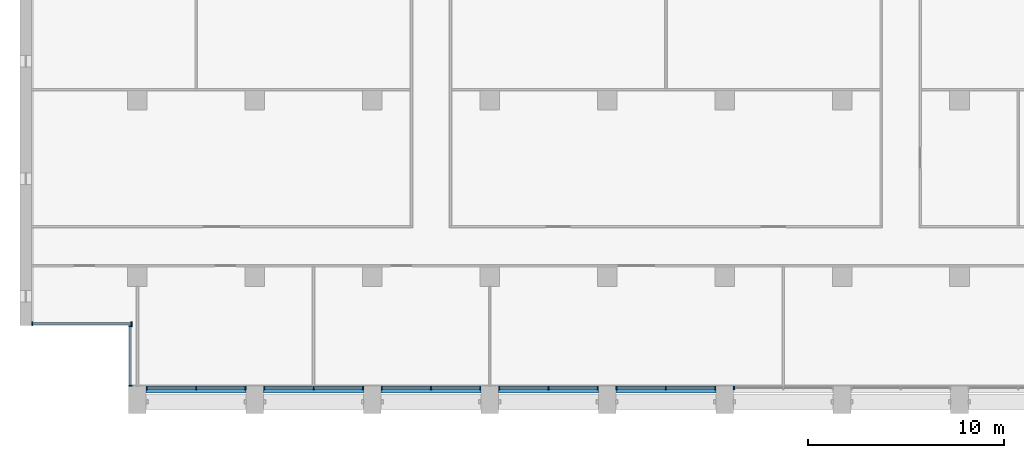
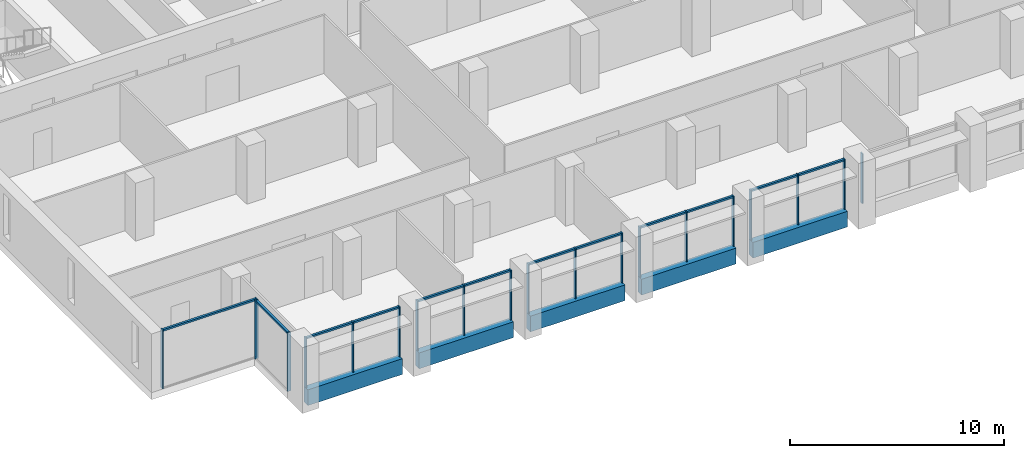
# One storey, part 2 of 17: 32 members, 5 beams, 8 elements without a shape of their own.
"""IFC4 building model written with IfcOpenShell, lengths in metres."""

from ifc_helpers import new_model, si_unit, direction, frame, origin, origin_2d, place, context, subcontext, project, spatial, rectangle, extrude, material, material_profile, profile_set, type_object, element, aggregate, save


model = new_model("IFC4")

# Units and contexts
model_context = context("Model", 3, precision=1e-05, world=origin(), true_north=direction((0.0, 1.0)))
body_context = subcontext(model_context, "Body", "Model", "MODEL_VIEW")
ifc_project = project(units=[si_unit("LENGTHUNIT", "METRE"), si_unit("AREAUNIT", "SQUARE_METRE"), si_unit("VOLUMEUNIT", "CUBIC_METRE"), si_unit("PLANEANGLEUNIT", "RADIAN"), si_unit("MASSUNIT", "GRAM", prefix="KILO")], contexts=[model_context])

# Site, building, storey
site_placement = place(None, origin())
site = spatial("IfcSite", under=ifc_project, at=site_placement, CompositionType="ELEMENT")
building_placement = place(site_placement, origin())
building = spatial("IfcBuilding", under=site, at=building_placement, Name="Calvaro Tower", CompositionType="ELEMENT")
storey_placement = place(building_placement, frame((0.0, 0.0, 219.25)))
storey = spatial("IfcBuildingStorey", under=building, at=storey_placement, Name="L55", CompositionType="ELEMENT", Elevation=219.25)

# Curtain wall, members
ifc_material_1 = material(Name="Anodised aluminium", Category="aluminium")
curtain_wall_type = type_object("IfcCurtainWallType", Name="Office curtain wall, upper zone", PredefinedType="NOTDEFINED", material=ifc_material_1)
curtain_wall_1_placement = place(storey_placement, origin())
curtain_wall_1 = element("IfcCurtainWall", 1, at=curtain_wall_1_placement, inside=storey, type_object=curtain_wall_type, Name="CW3 south curtain wall", PredefinedType="NOTDEFINED")
ifc_material_2 = material(Name="Anodised aluminium", Category="aluminium")
ifc_material_profile_1 = material_profile(ifc_material_2, rectangle(XDim=0.179931640625, YDim=0.06005859375, at=origin_2d()), Name="Mullion S3 60 x 180")
ifc_profile_set_1 = profile_set([ifc_material_profile_1], Name="Anodised aluminium")
member_type_1 = type_object("IfcMemberType", Name="Mullion S3 60 x 180", PredefinedType="MULLION", material=ifc_profile_set_1)
member_1_placement = place(storey_placement, frame((12.47998046875, 4.31005859375, 0.0), z_axis=(0.0, 0.0, 1.0), x_axis=(0.0, 1.0, 0.0)))
member_1 = element("IfcMember", 2, at=member_1_placement, type_object=member_type_1, Name="CW3 mullion 1", PredefinedType="MULLION", context=body_context, shape_type="SweptSolid", body=[
    extrude(rectangle(XDim=0.179931640625, YDim=0.06005859375, at=origin_2d()), origin(), (0.0, 0.0, 1.0), 2.85009765625),
])
member_2_placement = place(storey_placement, frame((15.0, 4.31005859375, 0.0), z_axis=(0.0, 0.0, 1.0), x_axis=(0.0, 1.0, 0.0)))
member_2 = element("IfcMember", 3, at=member_2_placement, type_object=member_type_1, Name="CW3 mullion 2", PredefinedType="MULLION", context=body_context, shape_type="SweptSolid", body=[
    extrude(rectangle(XDim=0.179931640625, YDim=0.06005859375, at=origin_2d()), origin(), (0.0, 0.0, 1.0), 2.85009765625),
])
member_3_placement = place(storey_placement, frame((17.52001953125, 4.31005859375, 0.0), z_axis=(0.0, 0.0, 1.0), x_axis=(0.0, 1.0, 0.0)))
member_3 = element("IfcMember", 4, at=member_3_placement, type_object=member_type_1, Name="CW3 mullion 3", PredefinedType="MULLION", context=body_context, shape_type="SweptSolid", body=[
    extrude(rectangle(XDim=0.179931640625, YDim=0.06005859375, at=origin_2d()), origin(), (0.0, 0.0, 1.0), 2.85009765625),
])

curtain_wall_2_placement = place(storey_placement, origin())
curtain_wall_2 = element("IfcCurtainWall", 5, at=curtain_wall_2_placement, inside=storey, type_object=curtain_wall_type, Name="CW3 south curtain wall", PredefinedType="NOTDEFINED")
member_4_placement = place(storey_placement, frame((18.47998046875, 4.31005859375, 0.0), z_axis=(0.0, 0.0, 1.0), x_axis=(0.0, 1.0, 0.0)))
member_4 = element("IfcMember", 6, at=member_4_placement, type_object=member_type_1, Name="CW3 mullion 1", PredefinedType="MULLION", context=body_context, shape_type="SweptSolid", body=[
    extrude(rectangle(XDim=0.179931640625, YDim=0.06005859375, at=origin_2d()), origin(), (0.0, 0.0, 1.0), 2.85009765625),
])
member_5_placement = place(storey_placement, frame((21.0, 4.31005859375, 0.0), z_axis=(0.0, 0.0, 1.0), x_axis=(0.0, 1.0, 0.0)))
member_5 = element("IfcMember", 7, at=member_5_placement, type_object=member_type_1, Name="CW3 mullion 2", PredefinedType="MULLION", context=body_context, shape_type="SweptSolid", body=[
    extrude(rectangle(XDim=0.179931640625, YDim=0.06005859375, at=origin_2d()), origin(), (0.0, 0.0, 1.0), 2.85009765625),
])
member_6_placement = place(storey_placement, frame((23.52001953125, 4.31005859375, 0.0), z_axis=(0.0, 0.0, 1.0), x_axis=(0.0, 1.0, 0.0)))
member_6 = element("IfcMember", 8, at=member_6_placement, type_object=member_type_1, Name="CW3 mullion 3", PredefinedType="MULLION", context=body_context, shape_type="SweptSolid", body=[
    extrude(rectangle(XDim=0.179931640625, YDim=0.06005859375, at=origin_2d()), origin(), (0.0, 0.0, 1.0), 2.85009765625),
])

curtain_wall_3_placement = place(storey_placement, origin())
curtain_wall_3 = element("IfcCurtainWall", 9, at=curtain_wall_3_placement, inside=storey, type_object=curtain_wall_type, Name="CW3 south curtain wall", PredefinedType="NOTDEFINED")
member_7_placement = place(storey_placement, frame((24.47998046875, 4.31005859375, 0.0), z_axis=(0.0, 0.0, 1.0), x_axis=(0.0, 1.0, 0.0)))
member_7 = element("IfcMember", 10, at=member_7_placement, type_object=member_type_1, Name="CW3 mullion 1", PredefinedType="MULLION", context=body_context, shape_type="SweptSolid", body=[
    extrude(rectangle(XDim=0.179931640625, YDim=0.06005859375, at=origin_2d()), origin(), (0.0, 0.0, 1.0), 2.85009765625),
])
member_8_placement = place(storey_placement, frame((27.0, 4.31005859375, 0.0), z_axis=(0.0, 0.0, 1.0), x_axis=(0.0, 1.0, 0.0)))
member_8 = element("IfcMember", 11, at=member_8_placement, type_object=member_type_1, Name="CW3 mullion 2", PredefinedType="MULLION", context=body_context, shape_type="SweptSolid", body=[
    extrude(rectangle(XDim=0.179931640625, YDim=0.06005859375, at=origin_2d()), origin(), (0.0, 0.0, 1.0), 2.85009765625),
])
member_9_placement = place(storey_placement, frame((29.52001953125, 4.31005859375, 0.0), z_axis=(0.0, 0.0, 1.0), x_axis=(0.0, 1.0, 0.0)))
member_9 = element("IfcMember", 12, at=member_9_placement, type_object=member_type_1, Name="CW3 mullion 3", PredefinedType="MULLION", context=body_context, shape_type="SweptSolid", body=[
    extrude(rectangle(XDim=0.179931640625, YDim=0.06005859375, at=origin_2d()), origin(), (0.0, 0.0, 1.0), 2.85009765625),
])

curtain_wall_4_placement = place(storey_placement, origin())
curtain_wall_4 = element("IfcCurtainWall", 13, at=curtain_wall_4_placement, inside=storey, type_object=curtain_wall_type, Name="CW3 south curtain wall", PredefinedType="NOTDEFINED")
member_10_placement = place(storey_placement, frame((30.47998046875, 4.31005859375, 0.0), z_axis=(0.0, 0.0, 1.0), x_axis=(0.0, 1.0, 0.0)))
member_10 = element("IfcMember", 14, at=member_10_placement, type_object=member_type_1, Name="CW3 mullion 1", PredefinedType="MULLION", context=body_context, shape_type="SweptSolid", body=[
    extrude(rectangle(XDim=0.179931640625, YDim=0.06005859375, at=origin_2d()), origin(), (0.0, 0.0, 1.0), 2.85009765625),
])
member_11_placement = place(storey_placement, frame((33.0, 4.31005859375, 0.0), z_axis=(0.0, 0.0, 1.0), x_axis=(0.0, 1.0, 0.0)))
member_11 = element("IfcMember", 15, at=member_11_placement, type_object=member_type_1, Name="CW3 mullion 2", PredefinedType="MULLION", context=body_context, shape_type="SweptSolid", body=[
    extrude(rectangle(XDim=0.179931640625, YDim=0.06005859375, at=origin_2d()), origin(), (0.0, 0.0, 1.0), 2.85009765625),
])
member_12_placement = place(storey_placement, frame((35.52001953125, 4.31005859375, 0.0), z_axis=(0.0, 0.0, 1.0), x_axis=(0.0, 1.0, 0.0)))
member_12 = element("IfcMember", 16, at=member_12_placement, type_object=member_type_1, Name="CW3 mullion 3", PredefinedType="MULLION", context=body_context, shape_type="SweptSolid", body=[
    extrude(rectangle(XDim=0.179931640625, YDim=0.06005859375, at=origin_2d()), origin(), (0.0, 0.0, 1.0), 2.85009765625),
])

curtain_wall_5_placement = place(storey_placement, origin())
curtain_wall_5 = element("IfcCurtainWall", 17, at=curtain_wall_5_placement, inside=storey, type_object=curtain_wall_type, Name="CW3 south curtain wall", PredefinedType="NOTDEFINED")
member_13_placement = place(storey_placement, frame((36.47998046875, 4.31005859375, 0.0), z_axis=(0.0, 0.0, 1.0), x_axis=(0.0, 1.0, 0.0)))
member_13 = element("IfcMember", 18, at=member_13_placement, type_object=member_type_1, Name="CW3 mullion 1", PredefinedType="MULLION", context=body_context, shape_type="SweptSolid", body=[
    extrude(rectangle(XDim=0.179931640625, YDim=0.06005859375, at=origin_2d()), origin(), (0.0, 0.0, 1.0), 2.85009765625),
])
member_14_placement = place(storey_placement, frame((39.0, 4.31005859375, 0.0), z_axis=(0.0, 0.0, 1.0), x_axis=(0.0, 1.0, 0.0)))
member_14 = element("IfcMember", 19, at=member_14_placement, type_object=member_type_1, Name="CW3 mullion 2", PredefinedType="MULLION", context=body_context, shape_type="SweptSolid", body=[
    extrude(rectangle(XDim=0.179931640625, YDim=0.06005859375, at=origin_2d()), origin(), (0.0, 0.0, 1.0), 2.85009765625),
])
member_15_placement = place(storey_placement, frame((41.52001953125, 4.31005859375, 0.0), z_axis=(0.0, 0.0, 1.0), x_axis=(0.0, 1.0, 0.0)))
member_15 = element("IfcMember", 20, at=member_15_placement, type_object=member_type_1, Name="CW3 mullion 3", PredefinedType="MULLION", context=body_context, shape_type="SweptSolid", body=[
    extrude(rectangle(XDim=0.179931640625, YDim=0.06005859375, at=origin_2d()), origin(), (0.0, 0.0, 1.0), 2.85009765625),
])

# Curtain wall, member
curtain_wall_6_placement = place(storey_placement, origin())
curtain_wall_6 = element("IfcCurtainWall", 21, at=curtain_wall_6_placement, inside=storey, type_object=curtain_wall_type, Name="CW3 south curtain wall", PredefinedType="NOTDEFINED")
member_16_placement = place(storey_placement, frame((42.47998046875, 4.31005859375, 0.0), z_axis=(0.0, 0.0, 1.0), x_axis=(0.0, 1.0, 0.0)))
member_16 = element("IfcMember", 22, at=member_16_placement, type_object=member_type_1, Name="CW3 mullion 1", PredefinedType="MULLION", context=body_context, shape_type="SweptSolid", body=[
    extrude(rectangle(XDim=0.179931640625, YDim=0.06005859375, at=origin_2d()), origin(), (0.0, 0.0, 1.0), 2.85009765625),
])
aggregate(curtain_wall_6, [member_16])

# Curtain wall, members
curtain_wall_7_placement = place(storey_placement, origin())
curtain_wall_7 = element("IfcCurtainWall", 23, at=curtain_wall_7_placement, inside=storey, type_object=curtain_wall_type, Name="CW3 corner curtain wall", PredefinedType="NOTDEFINED")
member_17_placement = place(storey_placement, frame((11.639892578125, 4.429931640625, 0.0), z_axis=(0.0, 0.0, 1.0), x_axis=(-1.0, 0.0, 0.0)))
member_17 = element("IfcMember", 24, at=member_17_placement, type_object=member_type_1, Name="CW3 mullion 1", PredefinedType="MULLION", context=body_context, shape_type="SweptSolid", body=[
    extrude(rectangle(XDim=0.179931640625, YDim=0.06005859375, at=origin_2d()), origin(), (0.0, 0.0, 1.0), 3.35009765625),
])
member_18_placement = place(storey_placement, frame((11.639892578125, 7.469970703125, 0.0), z_axis=(0.0, 0.0, 1.0), x_axis=(-1.0, 0.0, 0.0)))
member_18 = element("IfcMember", 25, at=member_18_placement, type_object=member_type_1, Name="CW3 mullion 2", PredefinedType="MULLION", context=body_context, shape_type="SweptSolid", body=[
    extrude(rectangle(XDim=0.179931640625, YDim=0.06005859375, at=origin_2d()), origin(), (0.0, 0.0, 1.0), 3.35009765625),
])

curtain_wall_8_placement = place(storey_placement, origin())
curtain_wall_8 = element("IfcCurtainWall", 26, at=curtain_wall_8_placement, inside=storey, type_object=curtain_wall_type, Name="CW3 corner curtain wall", PredefinedType="NOTDEFINED")
member_19_placement = place(storey_placement, frame((6.6298828125, 7.590087890625, 0.0), z_axis=(0.0, 0.0, 1.0), x_axis=(0.0, 1.0, 0.0)))
member_19 = element("IfcMember", 27, at=member_19_placement, type_object=member_type_1, Name="CW3 mullion 1", PredefinedType="MULLION", context=body_context, shape_type="SweptSolid", body=[
    extrude(rectangle(XDim=0.179931640625, YDim=0.06005859375, at=origin_2d()), origin(), (0.0, 0.0, 1.0), 3.35009765625),
])
member_20_placement = place(storey_placement, frame((11.699951171875, 7.590087890625, 0.0), z_axis=(0.0, 0.0, 1.0), x_axis=(0.0, 1.0, 0.0)))
member_20 = element("IfcMember", 28, at=member_20_placement, type_object=member_type_1, Name="CW3 mullion 2", PredefinedType="MULLION", context=body_context, shape_type="SweptSolid", body=[
    extrude(rectangle(XDim=0.179931640625, YDim=0.06005859375, at=origin_2d()), origin(), (0.0, 0.0, 1.0), 3.35009765625),
])

# Beams
ifc_material_3 = material(Name="Concrete C50/60 precast", Category="concrete")
ifc_material_profile_2 = material_profile(ifc_material_3, rectangle(XDim=0.35009765625, YDim=0.89990234375, at=origin_2d()), Name="RC 350x900")
ifc_profile_set_2 = profile_set([ifc_material_profile_2], Name="Concrete C50/60 precast")
beam_type = type_object("IfcBeamType", Name="Spandrel beam 350x900 C50/60", PredefinedType="SPANDREL", material=ifc_profile_set_2)
for number, where, z_axis, x_axis, name in (
    (29, (12.449951171875, 4.22509765625, -0.449951171875), (1.0, 0.0, 0.0), (0.0, 1.0, 0.0), "Spandrel beam"),
    (30, (18.449951171875, 4.22509765625, -0.449951171875), (1.0, 0.0, 0.0), (0.0, 1.0, 0.0), "Spandrel beam"),
    (31, (24.449951171875, 4.22509765625, -0.449951171875), (1.0, 0.0, 0.0), (0.0, 1.0, 0.0), "Spandrel beam"),
    (32, (30.449951171875, 4.22509765625, -0.449951171875), (1.0, 0.0, 0.0), (0.0, 1.0, 0.0), "Spandrel beam"),
    (33, (36.449951171875, 4.22509765625, -0.449951171875), (1.0, 0.0, 0.0), (0.0, 1.0, 0.0), "Spandrel beam"),
):
    element("IfcBeam", number, at=place(storey_placement, frame(where, z_axis=z_axis, x_axis=x_axis)), inside=storey, type_object=beam_type, Name=name, PredefinedType="SPANDREL", context=body_context, shape_type="SweptSolid", body=[
        extrude(rectangle(XDim=0.35009765625, YDim=0.89990234375, at=origin_2d()), origin(), (0.0, 0.0, 1.0), 5.10009765625),
    ])

# Member
ifc_material_4 = material(Name="Anodised aluminium", Category="aluminium")
ifc_material_profile_3 = material_profile(ifc_material_4, rectangle(XDim=0.1201171875, YDim=0.10009765625, at=origin_2d()), Name="Transom S3 100 x 120")
ifc_profile_set_3 = profile_set([ifc_material_profile_3], Name="Anodised aluminium")
member_type_2 = type_object("IfcMemberType", Name="Transom S3 100 x 120", PredefinedType="USERDEFINED", material=ifc_profile_set_3)
member_21_placement = place(storey_placement, frame((12.510009765625, 4.31005859375, 2.800048828125), z_axis=(1.0, 0.0, 0.0), x_axis=(0.0, 1.0, 0.0)))
member_21 = element("IfcMember", 34, at=member_21_placement, type_object=member_type_2, Name="CW3 transom 1.1", ObjectType="TRANSOM", PredefinedType="USERDEFINED", context=body_context, shape_type="SweptSolid", body=[
    extrude(rectangle(XDim=0.1201171875, YDim=0.10009765625, at=origin_2d()), origin(), (0.0, 0.0, 1.0), 2.4599609375),
])

member_22_placement = place(storey_placement, frame((15.030029296875, 4.31005859375, 2.800048828125), z_axis=(1.0, 0.0, 0.0), x_axis=(0.0, 1.0, 0.0)))
member_22 = element("IfcMember", 35, at=member_22_placement, type_object=member_type_2, Name="CW3 transom 2.1", ObjectType="TRANSOM", PredefinedType="USERDEFINED", context=body_context, shape_type="SweptSolid", body=[
    extrude(rectangle(XDim=0.1201171875, YDim=0.10009765625, at=origin_2d()), origin(), (0.0, 0.0, 1.0), 2.4599609375),
])

aggregate(curtain_wall_1, [member_1, member_2, member_3, member_21, member_22])

member_23_placement = place(storey_placement, frame((18.510009765625, 4.31005859375, 2.800048828125), z_axis=(1.0, 0.0, 0.0), x_axis=(0.0, 1.0, 0.0)))
member_23 = element("IfcMember", 36, at=member_23_placement, type_object=member_type_2, Name="CW3 transom 1.1", ObjectType="TRANSOM", PredefinedType="USERDEFINED", context=body_context, shape_type="SweptSolid", body=[
    extrude(rectangle(XDim=0.1201171875, YDim=0.10009765625, at=origin_2d()), origin(), (0.0, 0.0, 1.0), 2.4599609375),
])

member_24_placement = place(storey_placement, frame((21.030029296875, 4.31005859375, 2.800048828125), z_axis=(1.0, 0.0, 0.0), x_axis=(0.0, 1.0, 0.0)))
member_24 = element("IfcMember", 37, at=member_24_placement, type_object=member_type_2, Name="CW3 transom 2.1", ObjectType="TRANSOM", PredefinedType="USERDEFINED", context=body_context, shape_type="SweptSolid", body=[
    extrude(rectangle(XDim=0.1201171875, YDim=0.10009765625, at=origin_2d()), origin(), (0.0, 0.0, 1.0), 2.4599609375),
])

aggregate(curtain_wall_2, [member_4, member_5, member_6, member_23, member_24])

member_25_placement = place(storey_placement, frame((24.510009765625, 4.31005859375, 2.800048828125), z_axis=(1.0, 0.0, 0.0), x_axis=(0.0, 1.0, 0.0)))
member_25 = element("IfcMember", 38, at=member_25_placement, type_object=member_type_2, Name="CW3 transom 1.1", ObjectType="TRANSOM", PredefinedType="USERDEFINED", context=body_context, shape_type="SweptSolid", body=[
    extrude(rectangle(XDim=0.1201171875, YDim=0.10009765625, at=origin_2d()), origin(), (0.0, 0.0, 1.0), 2.4599609375),
])

member_26_placement = place(storey_placement, frame((27.030029296875, 4.31005859375, 2.800048828125), z_axis=(1.0, 0.0, 0.0), x_axis=(0.0, 1.0, 0.0)))
member_26 = element("IfcMember", 39, at=member_26_placement, type_object=member_type_2, Name="CW3 transom 2.1", ObjectType="TRANSOM", PredefinedType="USERDEFINED", context=body_context, shape_type="SweptSolid", body=[
    extrude(rectangle(XDim=0.1201171875, YDim=0.10009765625, at=origin_2d()), origin(), (0.0, 0.0, 1.0), 2.4599609375),
])

aggregate(curtain_wall_3, [member_7, member_8, member_9, member_25, member_26])

member_27_placement = place(storey_placement, frame((30.510009765625, 4.31005859375, 2.800048828125), z_axis=(1.0, 0.0, 0.0), x_axis=(0.0, 1.0, 0.0)))
member_27 = element("IfcMember", 40, at=member_27_placement, type_object=member_type_2, Name="CW3 transom 1.1", ObjectType="TRANSOM", PredefinedType="USERDEFINED", context=body_context, shape_type="SweptSolid", body=[
    extrude(rectangle(XDim=0.1201171875, YDim=0.10009765625, at=origin_2d()), origin(), (0.0, 0.0, 1.0), 2.4599609375),
])

member_28_placement = place(storey_placement, frame((33.030029296875, 4.31005859375, 2.800048828125), z_axis=(1.0, 0.0, 0.0), x_axis=(0.0, 1.0, 0.0)))
member_28 = element("IfcMember", 41, at=member_28_placement, type_object=member_type_2, Name="CW3 transom 2.1", ObjectType="TRANSOM", PredefinedType="USERDEFINED", context=body_context, shape_type="SweptSolid", body=[
    extrude(rectangle(XDim=0.1201171875, YDim=0.10009765625, at=origin_2d()), origin(), (0.0, 0.0, 1.0), 2.4599609375),
])

aggregate(curtain_wall_4, [member_10, member_11, member_12, member_27, member_28])

member_29_placement = place(storey_placement, frame((36.510009765625, 4.31005859375, 2.800048828125), z_axis=(1.0, 0.0, 0.0), x_axis=(0.0, 1.0, 0.0)))
member_29 = element("IfcMember", 42, at=member_29_placement, type_object=member_type_2, Name="CW3 transom 1.1", ObjectType="TRANSOM", PredefinedType="USERDEFINED", context=body_context, shape_type="SweptSolid", body=[
    extrude(rectangle(XDim=0.1201171875, YDim=0.10009765625, at=origin_2d()), origin(), (0.0, 0.0, 1.0), 2.4599609375),
])

member_30_placement = place(storey_placement, frame((39.030029296875, 4.31005859375, 2.800048828125), z_axis=(1.0, 0.0, 0.0), x_axis=(0.0, 1.0, 0.0)))
member_30 = element("IfcMember", 43, at=member_30_placement, type_object=member_type_2, Name="CW3 transom 2.1", ObjectType="TRANSOM", PredefinedType="USERDEFINED", context=body_context, shape_type="SweptSolid", body=[
    extrude(rectangle(XDim=0.1201171875, YDim=0.10009765625, at=origin_2d()), origin(), (0.0, 0.0, 1.0), 2.4599609375),
])

aggregate(curtain_wall_5, [member_13, member_14, member_15, member_29, member_30])

member_31_placement = place(storey_placement, frame((11.639892578125, 4.4599609375, 3.300048828125), z_axis=(0.0, 1.0, 0.0), x_axis=(-1.0, 0.0, 0.0)))
member_31 = element("IfcMember", 44, at=member_31_placement, type_object=member_type_2, Name="CW3 transom 1.1", ObjectType="TRANSOM", PredefinedType="USERDEFINED", context=body_context, shape_type="SweptSolid", body=[
    extrude(rectangle(XDim=0.1201171875, YDim=0.10009765625, at=origin_2d()), origin(), (0.0, 0.0, 1.0), 2.97998046875),
])

aggregate(curtain_wall_7, [member_17, member_18, member_31])

member_32_placement = place(storey_placement, frame((6.659912109375, 7.590087890625, 3.300048828125), z_axis=(1.0, 0.0, 0.0), x_axis=(0.0, 1.0, 0.0)))
member_32 = element("IfcMember", 45, at=member_32_placement, type_object=member_type_2, Name="CW3 transom 1.1", ObjectType="TRANSOM", PredefinedType="USERDEFINED", context=body_context, shape_type="SweptSolid", body=[
    extrude(rectangle(XDim=0.1201171875, YDim=0.10009765625, at=origin_2d()), origin(), (0.0, 0.0, 1.0), 5.010009765625),
])

aggregate(curtain_wall_8, [member_19, member_20, member_32])

save(model, "model.ifc")
